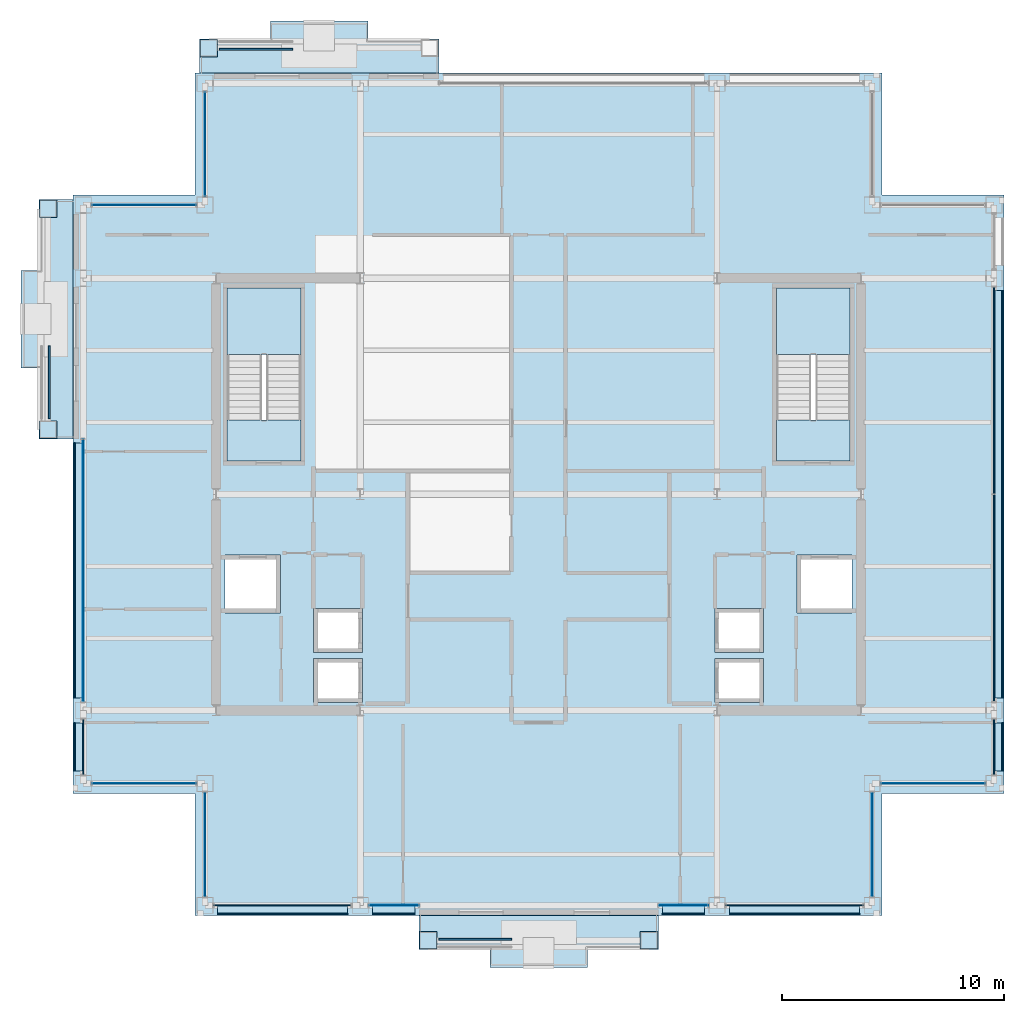
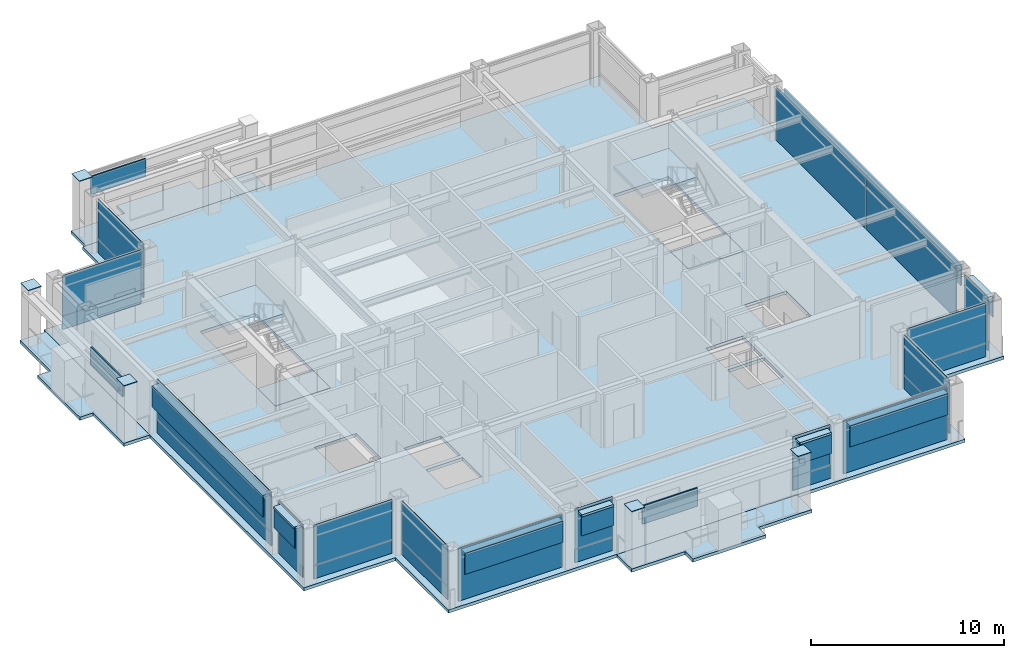
# One storey, part 24 of 31: 48 plates, 8 slabs, 16 elements without a shape of their own.
"""IFC4 building model written with IfcOpenShell, lengths in metres."""

from ifc_helpers import new_model, si_unit, direction, frame, origin, origin_2d, place, context, subcontext, project, spatial, polyline, rectangle, outline, extrude, material, layer, layer_set, type_object, element, aggregate, save


model = new_model("IFC4")

# Units and contexts
model_context = context("Model", 3, precision=1e-05, world=origin(), true_north=direction((0.0, 1.0)))
body_context = subcontext(model_context, "Body", "Model", "MODEL_VIEW")
ifc_project = project(units=[si_unit("LENGTHUNIT", "METRE"), si_unit("AREAUNIT", "SQUARE_METRE"), si_unit("VOLUMEUNIT", "CUBIC_METRE"), si_unit("PLANEANGLEUNIT", "RADIAN"), si_unit("MASSUNIT", "GRAM", prefix="KILO")], contexts=[model_context])

# Site, building, storey
site_placement = place(None, origin())
site = spatial("IfcSite", under=ifc_project, at=site_placement, CompositionType="ELEMENT")
building_placement = place(site_placement, origin())
building = spatial("IfcBuilding", under=site, at=building_placement, Name="Brelmoor Portico Tower", CompositionType="ELEMENT")
storey_placement = place(building_placement, frame((0.0, 0.0, 176.699951171875)))
storey = spatial("IfcBuildingStorey", under=building, at=storey_placement, Name="L46", CompositionType="ELEMENT", Elevation=176.699951171875)

# Plates
ifc_material_1 = material(Name="Steel Q355B", Category="steel")
ifc_layer_1 = layer(ifc_material_1, 0.044921875)
ifc_layer_set_1 = layer_set([ifc_layer_1], Name="Steel Q355B")
plate_type_1 = type_object("IfcPlateType", Name="PT-CAP-650", PredefinedType="SHEET", material=ifc_layer_set_1)
for number, where, z_axis, x_axis, name in (
    (1, (-4.97998046875, -20.1298828125, 3.60009765625), (0.0, 0.0, 1.0), (1.0, 0.0, 0.0), "L46 Proud Picture-Frame Pier PFJ-S1 Welded Head Cap Plate"),
    (2, (4.97998046875, -20.1298828125, 3.60009765625), (0.0, 0.0, 1.0), (1.0, 0.0, 0.0), "L46 Proud Picture-Frame Pier PFJ-S2 Welded Head Cap Plate"),
    (3, (-14.8798828125, 20.1298828125, 3.60009765625), (0.0, 0.0, 1.0), (1.0, 0.0, 0.0), "L46 Proud Picture-Frame Pier PFJ-N1 Welded Head Cap Plate"),
    (4, (-22.1298828125, 2.919921875, 3.60009765625), (0.0, 0.0, 1.0), (0.0, 1.0, 0.0), "L46 Proud Picture-Frame Pier PFJ-W1 Welded Head Cap Plate"),
    (5, (-22.1298828125, 12.8798828125, 3.60009765625), (0.0, 0.0, 1.0), (0.0, 1.0, 0.0), "L46 Proud Picture-Frame Pier PFJ-W2 Welded Head Cap Plate"),
):
    element("IfcPlate", number, at=place(storey_placement, frame(where, z_axis=z_axis, x_axis=x_axis)), inside=storey, type_object=plate_type_1, Name=name, PredefinedType="SHEET", context=body_context, shape_type="SweptSolid", body=[
        extrude(rectangle(XDim=0.7900390625, YDim=0.7900390625, at=origin_2d()), origin(), (0.0, 0.0, 1.0), 0.0400390625),
    ])

# Curtain wall, plate
ifc_material_2 = material(Name="Anodised Aluminium Alloy 6063-T6", Category="aluminium")
ifc_layer_2 = layer(ifc_material_2, 0.179931640625)
ifc_layer_set_2 = layer_set([ifc_layer_2], Name="Anodised Aluminium Alloy 6063-T6")
curtain_wall_type_1 = type_object("IfcCurtainWallType", Name="CW-TOWER-Z3", PredefinedType="NOTDEFINED", material=ifc_layer_set_2)
curtain_wall_1_placement = place(storey_placement, origin())
curtain_wall_1 = element("IfcCurtainWall", 6, at=curtain_wall_1_placement, inside=storey, type_object=curtain_wall_type_1, Name="L46 Curtain Wall CW-L46-1L-2", PredefinedType="NOTDEFINED")
ifc_material_3 = material(Name="Double-Silver Low-E Insulated Glazing", Category="glass")
ifc_layer_3 = layer(ifc_material_3, 0.035888671875)
ifc_layer_set_3 = layer_set([ifc_layer_3], Name="Double-Silver Low-E Insulated Glazing")
plate_type_2 = type_object("IfcPlateType", Name="PT-CW-GLASS", PredefinedType="CURTAIN_PANEL", material=ifc_layer_set_3)
plate_1_placement = place(storey_placement, frame((-6.532470703125, -18.550048828125, 0.85009765625), z_axis=(0.0, 0.0, 1.0), x_axis=(1.0, 0.0, 0.0)))
plate_1 = element("IfcPlate", 7, at=plate_1_placement, type_object=plate_type_2, Name="CW-L46-1L-2 Vision Glass Panel 00", PredefinedType="CURTAIN_PANEL", context=body_context, shape_type="SweptSolid", body=[
    extrude(rectangle(XDim=2.235107421875, YDim=0.035888671875, at=origin_2d()), origin(), (0.0, 0.0, 1.0), 2.550048828125),
])

curtain_wall_2_placement = place(storey_placement, origin())
curtain_wall_2 = element("IfcCurtainWall", 8, at=curtain_wall_2_placement, inside=storey, type_object=curtain_wall_type_1, Name="L46 Curtain Wall CW-L46-1R-1", PredefinedType="NOTDEFINED")
plate_2_placement = place(storey_placement, frame((6.532470703125, -18.550048828125, 0.85009765625), z_axis=(0.0, 0.0, 1.0), x_axis=(1.0, 0.0, 0.0)))
plate_2 = element("IfcPlate", 9, at=plate_2_placement, type_object=plate_type_2, Name="CW-L46-1R-1 Vision Glass Panel 00", PredefinedType="CURTAIN_PANEL", context=body_context, shape_type="SweptSolid", body=[
    extrude(rectangle(XDim=2.235107421875, YDim=0.035888671875, at=origin_2d()), origin(), (0.0, 0.0, 1.0), 2.550048828125),
])

curtain_wall_3_placement = place(storey_placement, origin())
curtain_wall_3 = element("IfcCurtainWall", 10, at=curtain_wall_3_placement, inside=storey, type_object=curtain_wall_type_1, Name="L46 Curtain Wall CW-L46-3L-2", PredefinedType="NOTDEFINED")
plate_3_placement = place(storey_placement, frame((-20.550048828125, -3.4326171875, 0.85009765625), z_axis=(0.0, 0.0, 1.0), x_axis=(0.0, 1.0, 0.0)))
plate_3 = element("IfcPlate", 11, at=plate_3_placement, type_object=plate_type_2, Name="CW-L46-3L-2 Vision Glass Panel 00", PredefinedType="CURTAIN_PANEL", context=body_context, shape_type="SweptSolid", body=[
    extrude(rectangle(XDim=11.8349609375, YDim=0.035888671875, at=origin_2d()), origin(), (0.0, 0.0, 1.0), 2.550048828125),
])

ifc_layer_4 = layer(ifc_material_2, 0.179931640625)
ifc_layer_set_4 = layer_set([ifc_layer_4], Name="Anodised Aluminium Alloy 6063-T6")
curtain_wall_type_2 = type_object("IfcCurtainWallType", Name="CW-NOTCH-CHAMFER", PredefinedType="NOTDEFINED", material=ifc_layer_set_4)
curtain_wall_4_placement = place(storey_placement, origin())
curtain_wall_4 = element("IfcCurtainWall", 12, at=curtain_wall_4_placement, inside=storey, type_object=curtain_wall_type_2, Name="L46 Curtain Wall CWN-L46-SWH", PredefinedType="NOTDEFINED")
plate_4_placement = place(storey_placement, frame((-17.800048828125, -13.050048828125, 0.85009765625), z_axis=(0.0, 0.0, 1.0), x_axis=(1.0, 0.0, 0.0)))
plate_4 = element("IfcPlate", 13, at=plate_4_placement, type_object=plate_type_2, Name="CWN-L46-SWH Vision Glass Panel 00", PredefinedType="CURTAIN_PANEL", context=body_context, shape_type="SweptSolid", body=[
    extrude(rectangle(XDim=4.699951171875, YDim=0.035888671875, at=origin_2d()), origin(), (0.0, 0.0, 1.0), 2.550048828125),
])

curtain_wall_5_placement = place(storey_placement, origin())
curtain_wall_5 = element("IfcCurtainWall", 14, at=curtain_wall_5_placement, inside=storey, type_object=curtain_wall_type_2, Name="L46 Curtain Wall CWN-L46-SWV", PredefinedType="NOTDEFINED")
plate_5_placement = place(storey_placement, frame((-15.050048828125, -15.800048828125, 0.85009765625), z_axis=(0.0, 0.0, 1.0), x_axis=(0.0, 1.0, 0.0)))
plate_5 = element("IfcPlate", 15, at=plate_5_placement, type_object=plate_type_2, Name="CWN-L46-SWV Vision Glass Panel 00", PredefinedType="CURTAIN_PANEL", context=body_context, shape_type="SweptSolid", body=[
    extrude(rectangle(XDim=4.699951171875, YDim=0.035888671875, at=origin_2d()), origin(), (0.0, 0.0, 1.0), 2.550048828125),
])

curtain_wall_6_placement = place(storey_placement, origin())
curtain_wall_6 = element("IfcCurtainWall", 16, at=curtain_wall_6_placement, inside=storey, type_object=curtain_wall_type_2, Name="L46 Curtain Wall CWN-L46-SEH", PredefinedType="NOTDEFINED")
plate_6_placement = place(storey_placement, frame((17.800048828125, -13.050048828125, 0.85009765625), z_axis=(0.0, 0.0, 1.0), x_axis=(1.0, 0.0, 0.0)))
plate_6 = element("IfcPlate", 17, at=plate_6_placement, type_object=plate_type_2, Name="CWN-L46-SEH Vision Glass Panel 00", PredefinedType="CURTAIN_PANEL", context=body_context, shape_type="SweptSolid", body=[
    extrude(rectangle(XDim=4.699951171875, YDim=0.035888671875, at=origin_2d()), origin(), (0.0, 0.0, 1.0), 2.550048828125),
])

curtain_wall_7_placement = place(storey_placement, origin())
curtain_wall_7 = element("IfcCurtainWall", 18, at=curtain_wall_7_placement, inside=storey, type_object=curtain_wall_type_2, Name="L46 Curtain Wall CWN-L46-SEV", PredefinedType="NOTDEFINED")
plate_7_placement = place(storey_placement, frame((15.050048828125, -15.800048828125, 0.85009765625), z_axis=(0.0, 0.0, 1.0), x_axis=(0.0, 1.0, 0.0)))
plate_7 = element("IfcPlate", 19, at=plate_7_placement, type_object=plate_type_2, Name="CWN-L46-SEV Vision Glass Panel 00", PredefinedType="CURTAIN_PANEL", context=body_context, shape_type="SweptSolid", body=[
    extrude(rectangle(XDim=4.699951171875, YDim=0.035888671875, at=origin_2d()), origin(), (0.0, 0.0, 1.0), 2.550048828125),
])

curtain_wall_8_placement = place(storey_placement, origin())
curtain_wall_8 = element("IfcCurtainWall", 20, at=curtain_wall_8_placement, inside=storey, type_object=curtain_wall_type_2, Name="L46 Curtain Wall CWN-L46-NWH", PredefinedType="NOTDEFINED")
plate_8_placement = place(storey_placement, frame((-17.800048828125, 13.050048828125, 0.85009765625), z_axis=(0.0, 0.0, 1.0), x_axis=(1.0, 0.0, 0.0)))
plate_8 = element("IfcPlate", 21, at=plate_8_placement, type_object=plate_type_2, Name="CWN-L46-NWH Vision Glass Panel 00", PredefinedType="CURTAIN_PANEL", context=body_context, shape_type="SweptSolid", body=[
    extrude(rectangle(XDim=4.699951171875, YDim=0.035888671875, at=origin_2d()), origin(), (0.0, 0.0, 1.0), 2.550048828125),
])

curtain_wall_9_placement = place(storey_placement, origin())
curtain_wall_9 = element("IfcCurtainWall", 22, at=curtain_wall_9_placement, inside=storey, type_object=curtain_wall_type_2, Name="L46 Curtain Wall CWN-L46-NWV", PredefinedType="NOTDEFINED")
plate_9_placement = place(storey_placement, frame((-15.050048828125, 15.800048828125, 0.85009765625), z_axis=(0.0, 0.0, 1.0), x_axis=(0.0, 1.0, 0.0)))
plate_9 = element("IfcPlate", 23, at=plate_9_placement, type_object=plate_type_2, Name="CWN-L46-NWV Vision Glass Panel 00", PredefinedType="CURTAIN_PANEL", context=body_context, shape_type="SweptSolid", body=[
    extrude(rectangle(XDim=4.699951171875, YDim=0.035888671875, at=origin_2d()), origin(), (0.0, 0.0, 1.0), 2.550048828125),
])

ifc_layer_5 = layer(ifc_material_2, 0.179931640625)
ifc_layer_set_5 = layer_set([ifc_layer_5], Name="Anodised Aluminium Alloy 6063-T6")
curtain_wall_type_3 = type_object("IfcCurtainWallType", Name="CW-TOWER-Z3-XB", PredefinedType="NOTDEFINED", material=ifc_layer_set_5)
curtain_wall_10_placement = place(storey_placement, origin())
curtain_wall_10 = element("IfcCurtainWall", 24, at=curtain_wall_10_placement, inside=storey, type_object=curtain_wall_type_3, Name="L46 Curtain Wall CW-L46-1L-1", PredefinedType="NOTDEFINED")
ifc_material_4 = material(Name="Pale Champagne Anodised Aluminium Panel", Category="aluminium")
ifc_layer_6 = layer(ifc_material_4, 0.050048828125)
ifc_layer_set_6 = layer_set([ifc_layer_6], Name="Pale Champagne Anodised Aluminium Panel")
plate_type_3 = type_object("IfcPlateType", Name="PT-CW-SPANDREL", PredefinedType="SHEET", material=ifc_layer_set_6)
plate_10_placement = place(storey_placement, frame((-11.550048828125, -18.550048828125, 0.0), z_axis=(0.0, 0.0, 1.0), x_axis=(1.0, 0.0, 0.0)))
plate_10 = element("IfcPlate", 25, at=plate_10_placement, type_object=plate_type_3, Name="CW-L46-1L-1 Spandrel Panel 00", PredefinedType="SHEET", context=body_context, shape_type="SweptSolid", body=[
    extrude(rectangle(XDim=6.199951171875, YDim=0.050048828125, at=origin_2d()), origin(), (0.0, 0.0, 1.0), 3.33740234375),
])
aggregate(curtain_wall_10, [plate_10])

# Plate
plate_11_placement = place(storey_placement, frame((-6.532470703125, -18.550048828125, 0.0), z_axis=(0.0, 0.0, 1.0), x_axis=(1.0, 0.0, 0.0)))
plate_11 = element("IfcPlate", 26, at=plate_11_placement, type_object=plate_type_3, Name="CW-L46-1L-2 Spandrel Panel 00", PredefinedType="SHEET", context=body_context, shape_type="SweptSolid", body=[
    extrude(rectangle(XDim=2.235107421875, YDim=0.050048828125, at=origin_2d()), origin(), (0.0, 0.0, 1.0), 0.85009765625),
])

aggregate(curtain_wall_1, [plate_11, plate_1])

plate_12_placement = place(storey_placement, frame((6.532470703125, -18.550048828125, 0.0), z_axis=(0.0, 0.0, 1.0), x_axis=(1.0, 0.0, 0.0)))
plate_12 = element("IfcPlate", 27, at=plate_12_placement, type_object=plate_type_3, Name="CW-L46-1R-1 Spandrel Panel 00", PredefinedType="SHEET", context=body_context, shape_type="SweptSolid", body=[
    extrude(rectangle(XDim=2.235107421875, YDim=0.050048828125, at=origin_2d()), origin(), (0.0, 0.0, 1.0), 0.85009765625),
])

aggregate(curtain_wall_2, [plate_12, plate_2])

# Curtain wall, plate
curtain_wall_11_placement = place(storey_placement, origin())
curtain_wall_11 = element("IfcCurtainWall", 28, at=curtain_wall_11_placement, inside=storey, type_object=curtain_wall_type_3, Name="L46 Curtain Wall CW-L46-1R-2", PredefinedType="NOTDEFINED")
plate_13_placement = place(storey_placement, frame((11.550048828125, -18.550048828125, 0.0), z_axis=(0.0, 0.0, 1.0), x_axis=(1.0, 0.0, 0.0)))
plate_13 = element("IfcPlate", 29, at=plate_13_placement, type_object=plate_type_3, Name="CW-L46-1R-2 Spandrel Panel 00", PredefinedType="SHEET", context=body_context, shape_type="SweptSolid", body=[
    extrude(rectangle(XDim=6.199951171875, YDim=0.050048828125, at=origin_2d()), origin(), (0.0, 0.0, 1.0), 3.33740234375),
])
aggregate(curtain_wall_11, [plate_13])

curtain_wall_12_placement = place(storey_placement, origin())
curtain_wall_12 = element("IfcCurtainWall", 30, at=curtain_wall_12_placement, inside=storey, type_object=curtain_wall_type_3, Name="L46 Curtain Wall CW-L46-3L-1", PredefinedType="NOTDEFINED")
plate_14_placement = place(storey_placement, frame((-20.550048828125, -11.39990234375, 0.0), z_axis=(0.0, 0.0, 1.0), x_axis=(0.0, 1.0, 0.0)))
plate_14 = element("IfcPlate", 31, at=plate_14_placement, type_object=plate_type_3, Name="CW-L46-3L-1 Spandrel Panel 00", PredefinedType="SHEET", context=body_context, shape_type="SweptSolid", body=[
    extrude(rectangle(XDim=2.5, YDim=0.050048828125, at=origin_2d()), origin(), (0.0, 0.0, 1.0), 3.33740234375),
])
aggregate(curtain_wall_12, [plate_14])

# Plate
plate_15_placement = place(storey_placement, frame((-20.550048828125, -3.4326171875, 0.0), z_axis=(0.0, 0.0, 1.0), x_axis=(0.0, 1.0, 0.0)))
plate_15 = element("IfcPlate", 32, at=plate_15_placement, type_object=plate_type_3, Name="CW-L46-3L-2 Spandrel Panel 00", PredefinedType="SHEET", context=body_context, shape_type="SweptSolid", body=[
    extrude(rectangle(XDim=11.8349609375, YDim=0.050048828125, at=origin_2d()), origin(), (0.0, 0.0, 1.0), 0.85009765625),
])

aggregate(curtain_wall_3, [plate_15, plate_3])

# Curtain wall, plate
curtain_wall_13_placement = place(storey_placement, origin())
curtain_wall_13 = element("IfcCurtainWall", 33, at=curtain_wall_13_placement, inside=storey, type_object=curtain_wall_type_3, Name="L46 Curtain Wall CW-L46-04-1", PredefinedType="NOTDEFINED")
plate_16_placement = place(storey_placement, frame((20.550048828125, -11.39990234375, 0.0), z_axis=(0.0, 0.0, 1.0), x_axis=(0.0, 1.0, 0.0)))
plate_16 = element("IfcPlate", 34, at=plate_16_placement, type_object=plate_type_3, Name="CW-L46-04-1 Spandrel Panel 00", PredefinedType="SHEET", context=body_context, shape_type="SweptSolid", body=[
    extrude(rectangle(XDim=2.5, YDim=0.050048828125, at=origin_2d()), origin(), (0.0, 0.0, 1.0), 3.33740234375),
])
aggregate(curtain_wall_13, [plate_16])

# Curtain wall, plates
curtain_wall_14_placement = place(storey_placement, origin())
curtain_wall_14 = element("IfcCurtainWall", 35, at=curtain_wall_14_placement, inside=storey, type_object=curtain_wall_type_3, Name="L46 Curtain Wall CW-L46-04-2", PredefinedType="NOTDEFINED")
plate_17_placement = place(storey_placement, frame((20.550048828125, -4.6826171875, 0.0), z_axis=(0.0, 0.0, 1.0), x_axis=(0.0, 1.0, 0.0)))
plate_17 = element("IfcPlate", 36, at=plate_17_placement, type_object=plate_type_3, Name="CW-L46-04-2 Spandrel Panel 00", PredefinedType="SHEET", context=body_context, shape_type="SweptSolid", body=[
    extrude(rectangle(XDim=9.3349609375, YDim=0.050048828125, at=origin_2d()), origin(), (0.0, 0.0, 1.0), 3.33740234375),
])
plate_18_placement = place(storey_placement, frame((20.550048828125, 4.6826171875, 0.0), z_axis=(0.0, 0.0, 1.0), x_axis=(0.0, 1.0, 0.0)))
plate_18 = element("IfcPlate", 37, at=plate_18_placement, type_object=plate_type_3, Name="CW-L46-04-2 Spandrel Panel 01", PredefinedType="SHEET", context=body_context, shape_type="SweptSolid", body=[
    extrude(rectangle(XDim=9.3349609375, YDim=0.050048828125, at=origin_2d()), origin(), (0.0, 0.0, 1.0), 3.33740234375),
])
aggregate(curtain_wall_14, [plate_17, plate_18])

# Plate
plate_19_placement = place(storey_placement, frame((-17.800048828125, -13.050048828125, 0.0), z_axis=(0.0, 0.0, 1.0), x_axis=(1.0, 0.0, 0.0)))
plate_19 = element("IfcPlate", 38, at=plate_19_placement, type_object=plate_type_3, Name="CWN-L46-SWH Spandrel Panel 00", PredefinedType="SHEET", context=body_context, shape_type="SweptSolid", body=[
    extrude(rectangle(XDim=4.699951171875, YDim=0.050048828125, at=origin_2d()), origin(), (0.0, 0.0, 1.0), 0.85009765625),
])

aggregate(curtain_wall_4, [plate_19, plate_4])

plate_20_placement = place(storey_placement, frame((-15.050048828125, -15.800048828125, 0.0), z_axis=(0.0, 0.0, 1.0), x_axis=(0.0, 1.0, 0.0)))
plate_20 = element("IfcPlate", 39, at=plate_20_placement, type_object=plate_type_3, Name="CWN-L46-SWV Spandrel Panel 00", PredefinedType="SHEET", context=body_context, shape_type="SweptSolid", body=[
    extrude(rectangle(XDim=4.699951171875, YDim=0.050048828125, at=origin_2d()), origin(), (0.0, 0.0, 1.0), 0.85009765625),
])

aggregate(curtain_wall_5, [plate_20, plate_5])

plate_21_placement = place(storey_placement, frame((17.800048828125, -13.050048828125, 0.0), z_axis=(0.0, 0.0, 1.0), x_axis=(1.0, 0.0, 0.0)))
plate_21 = element("IfcPlate", 40, at=plate_21_placement, type_object=plate_type_3, Name="CWN-L46-SEH Spandrel Panel 00", PredefinedType="SHEET", context=body_context, shape_type="SweptSolid", body=[
    extrude(rectangle(XDim=4.699951171875, YDim=0.050048828125, at=origin_2d()), origin(), (0.0, 0.0, 1.0), 0.85009765625),
])

aggregate(curtain_wall_6, [plate_21, plate_6])

plate_22_placement = place(storey_placement, frame((15.050048828125, -15.800048828125, 0.0), z_axis=(0.0, 0.0, 1.0), x_axis=(0.0, 1.0, 0.0)))
plate_22 = element("IfcPlate", 41, at=plate_22_placement, type_object=plate_type_3, Name="CWN-L46-SEV Spandrel Panel 00", PredefinedType="SHEET", context=body_context, shape_type="SweptSolid", body=[
    extrude(rectangle(XDim=4.699951171875, YDim=0.050048828125, at=origin_2d()), origin(), (0.0, 0.0, 1.0), 0.85009765625),
])

aggregate(curtain_wall_7, [plate_22, plate_7])

plate_23_placement = place(storey_placement, frame((-17.800048828125, 13.050048828125, 0.0), z_axis=(0.0, 0.0, 1.0), x_axis=(1.0, 0.0, 0.0)))
plate_23 = element("IfcPlate", 42, at=plate_23_placement, type_object=plate_type_3, Name="CWN-L46-NWH Spandrel Panel 00", PredefinedType="SHEET", context=body_context, shape_type="SweptSolid", body=[
    extrude(rectangle(XDim=4.699951171875, YDim=0.050048828125, at=origin_2d()), origin(), (0.0, 0.0, 1.0), 0.85009765625),
])

aggregate(curtain_wall_8, [plate_23, plate_8])

plate_24_placement = place(storey_placement, frame((-15.050048828125, 15.800048828125, 0.0), z_axis=(0.0, 0.0, 1.0), x_axis=(0.0, 1.0, 0.0)))
plate_24 = element("IfcPlate", 43, at=plate_24_placement, type_object=plate_type_3, Name="CWN-L46-NWV Spandrel Panel 00", PredefinedType="SHEET", context=body_context, shape_type="SweptSolid", body=[
    extrude(rectangle(XDim=4.699951171875, YDim=0.050048828125, at=origin_2d()), origin(), (0.0, 0.0, 1.0), 0.85009765625),
])

aggregate(curtain_wall_9, [plate_24, plate_9])

# Plates
ifc_material_5 = material(Name="Powder-Coated Aluminium Shuttered Jalousie Louvre", Category="aluminium")
ifc_layer_7 = layer(ifc_material_5, 0.06005859375)
ifc_layer_set_7 = layer_set([ifc_layer_7], Name="Powder-Coated Aluminium Shuttered Jalousie Louvre")
plate_type_4 = type_object("IfcPlateType", Name="PT-JALOUSIE-SHUTTER", PredefinedType="SHEET", material=ifc_layer_set_7)
plate_25_placement = place(storey_placement, frame((-11.550048828125, -18.929931640625, 1.8740234375), z_axis=(0.0, 0.0, 1.0), x_axis=(1.0, 0.0, 0.0)))
element("IfcPlate", 44, at=plate_25_placement, inside=storey, type_object=plate_type_4, Name="CW-L46-1L-1 Perforated Jalousie Solar Screen", PredefinedType="SHEET", context=body_context, shape_type="SweptSolid", body=[
    extrude(rectangle(XDim=5.8701171875, YDim=0.06494140625, at=origin_2d()), origin(), (0.0, 0.0, 1.0), 1.325927734375),
])
for number, where, z_axis, x_axis, name in (
    (45, (-6.532470703125, -18.929931640625, 1.8740234375), (0.0, 0.0, 1.0), (1.0, 0.0, 0.0), "CW-L46-1L-2 Perforated Jalousie Solar Screen"),
    (46, (6.532470703125, -18.929931640625, 1.8740234375), (0.0, 0.0, 1.0), (1.0, 0.0, 0.0), "CW-L46-1R-1 Perforated Jalousie Solar Screen"),
):
    element("IfcPlate", number, at=place(storey_placement, frame(where, z_axis=z_axis, x_axis=x_axis)), inside=storey, type_object=plate_type_4, Name=name, PredefinedType="SHEET", context=body_context, shape_type="SweptSolid", body=[
        extrude(rectangle(XDim=1.905029296875, YDim=0.06494140625, at=origin_2d()), origin(), (0.0, 0.0, 1.0), 1.325927734375),
    ])
plate_26_placement = place(storey_placement, frame((11.550048828125, -18.929931640625, 1.8740234375), z_axis=(0.0, 0.0, 1.0), x_axis=(1.0, 0.0, 0.0)))
element("IfcPlate", 47, at=plate_26_placement, inside=storey, type_object=plate_type_4, Name="CW-L46-1R-2 Perforated Jalousie Solar Screen", PredefinedType="SHEET", context=body_context, shape_type="SweptSolid", body=[
    extrude(rectangle(XDim=5.8701171875, YDim=0.06494140625, at=origin_2d()), origin(), (0.0, 0.0, 1.0), 1.325927734375),
])
for number, where, z_axis, x_axis, name in (
    (48, (-2.85009765625, -20.080078125, 2.275146484375), (0.0, 0.0, 1.0), (1.0, 0.0, 0.0), "L46 Shuttered Veranda Screen S"),
    (49, (-12.75, 20.080078125, 2.275146484375), (0.0, 0.0, 1.0), (1.0, 0.0, 0.0), "L46 Shuttered Veranda Screen N"),
):
    element("IfcPlate", number, at=place(storey_placement, frame(where, z_axis=z_axis, x_axis=x_axis)), inside=storey, type_object=plate_type_4, Name=name, PredefinedType="SHEET", context=body_context, shape_type="SweptSolid", body=[
        extrude(rectangle(XDim=3.300048828125, YDim=0.080078125, at=origin_2d()), origin(), (0.0, 0.0, 1.0), 1.14990234375),
    ])
plate_27_placement = place(storey_placement, frame((-20.929931640625, -11.39990234375, 1.8740234375), z_axis=(0.0, 0.0, 1.0), x_axis=(0.0, 1.0, 0.0)))
element("IfcPlate", 50, at=plate_27_placement, inside=storey, type_object=plate_type_4, Name="CW-L46-3L-1 Perforated Jalousie Solar Screen", PredefinedType="SHEET", context=body_context, shape_type="SweptSolid", body=[
    extrude(rectangle(XDim=2.169921875, YDim=0.06494140625, at=origin_2d()), origin(), (0.0, 0.0, 1.0), 1.325927734375),
])
plate_28_placement = place(storey_placement, frame((-20.929931640625, -3.4326171875, 1.8740234375), z_axis=(0.0, 0.0, 1.0), x_axis=(0.0, 1.0, 0.0)))
element("IfcPlate", 51, at=plate_28_placement, inside=storey, type_object=plate_type_4, Name="CW-L46-3L-2 Perforated Jalousie Solar Screen", PredefinedType="SHEET", context=body_context, shape_type="SweptSolid", body=[
    extrude(rectangle(XDim=11.5048828125, YDim=0.06494140625, at=origin_2d()), origin(), (0.0, 0.0, 1.0), 1.325927734375),
])
plate_29_placement = place(storey_placement, frame((-22.080078125, 5.050048828125, 2.275146484375), z_axis=(0.0, 0.0, 1.0), x_axis=(0.0, 1.0, 0.0)))
element("IfcPlate", 52, at=plate_29_placement, inside=storey, type_object=plate_type_4, Name="L46 Shuttered Veranda Screen W", PredefinedType="SHEET", context=body_context, shape_type="SweptSolid", body=[
    extrude(rectangle(XDim=3.300048828125, YDim=0.080078125, at=origin_2d()), origin(), (0.0, 0.0, 1.0), 1.14990234375),
])
plate_30_placement = place(storey_placement, frame((20.929931640625, -11.39990234375, 1.8740234375), z_axis=(0.0, 0.0, 1.0), x_axis=(0.0, 1.0, 0.0)))
element("IfcPlate", 53, at=plate_30_placement, inside=storey, type_object=plate_type_4, Name="CW-L46-04-1 Perforated Jalousie Solar Screen", PredefinedType="SHEET", context=body_context, shape_type="SweptSolid", body=[
    extrude(rectangle(XDim=2.169921875, YDim=0.06494140625, at=origin_2d()), origin(), (0.0, 0.0, 1.0), 1.325927734375),
])
plate_31_placement = place(storey_placement, frame((20.929931640625, 0.0, 1.8740234375), z_axis=(0.0, 0.0, 1.0), x_axis=(0.0, 1.0, 0.0)))
element("IfcPlate", 54, at=plate_31_placement, inside=storey, type_object=plate_type_4, Name="CW-L46-04-2 Perforated Jalousie Solar Screen", PredefinedType="SHEET", context=body_context, shape_type="SweptSolid", body=[
    extrude(rectangle(XDim=18.3701171875, YDim=0.06494140625, at=origin_2d()), origin(), (0.0, 0.0, 1.0), 1.325927734375),
])
ifc_material_6 = material(Name="Pale Champagne Perforated Aluminium Solar Screen", Category="aluminium")
ifc_layer_8 = layer(ifc_material_6, 0.054931640625)
ifc_layer_set_8 = layer_set([ifc_layer_8], Name="Pale Champagne Perforated Aluminium Solar Screen")
plate_type_5 = type_object("IfcPlateType", Name="PT-SOLAR-LOUVRE", PredefinedType="SHEET", material=ifc_layer_set_8)
plate_32_placement = place(storey_placement, frame((-11.550048828125, -18.760009765625, 3.09033203125), z_axis=(0.0, 0.0, 1.0), x_axis=(1.0, 0.0, 0.0)))
element("IfcPlate", 55, at=plate_32_placement, inside=storey, type_object=plate_type_5, Name="CW-L46-1L-1 Caribbean Brise-Soleil Solar Screen", PredefinedType="SHEET", context=body_context, shape_type="SweptSolid", body=[
    extrude(rectangle(XDim=5.8701171875, YDim=0.4599609375, at=origin_2d()), origin(), (0.0, 0.0, 1.0), 0.139892578125),
])
for number, where, z_axis, x_axis, name in (
    (56, (-6.532470703125, -18.760009765625, 3.09033203125), (0.0, 0.0, 1.0), (1.0, 0.0, 0.0), "CW-L46-1L-2 Caribbean Brise-Soleil Solar Screen"),
    (57, (6.532470703125, -18.760009765625, 3.09033203125), (0.0, 0.0, 1.0), (1.0, 0.0, 0.0), "CW-L46-1R-1 Caribbean Brise-Soleil Solar Screen"),
):
    element("IfcPlate", number, at=place(storey_placement, frame(where, z_axis=z_axis, x_axis=x_axis)), inside=storey, type_object=plate_type_5, Name=name, PredefinedType="SHEET", context=body_context, shape_type="SweptSolid", body=[
        extrude(rectangle(XDim=1.905029296875, YDim=0.4599609375, at=origin_2d()), origin(), (0.0, 0.0, 1.0), 0.139892578125),
    ])
plate_33_placement = place(storey_placement, frame((11.550048828125, -18.760009765625, 3.09033203125), z_axis=(0.0, 0.0, 1.0), x_axis=(1.0, 0.0, 0.0)))
element("IfcPlate", 58, at=plate_33_placement, inside=storey, type_object=plate_type_5, Name="CW-L46-1R-2 Caribbean Brise-Soleil Solar Screen", PredefinedType="SHEET", context=body_context, shape_type="SweptSolid", body=[
    extrude(rectangle(XDim=5.8701171875, YDim=0.4599609375, at=origin_2d()), origin(), (0.0, 0.0, 1.0), 0.139892578125),
])
plate_34_placement = place(storey_placement, frame((-20.760009765625, -11.39990234375, 3.09033203125), z_axis=(0.0, 0.0, 1.0), x_axis=(0.0, 1.0, 0.0)))
element("IfcPlate", 59, at=plate_34_placement, inside=storey, type_object=plate_type_5, Name="CW-L46-3L-1 Caribbean Brise-Soleil Solar Screen", PredefinedType="SHEET", context=body_context, shape_type="SweptSolid", body=[
    extrude(rectangle(XDim=2.169921875, YDim=0.4599609375, at=origin_2d()), origin(), (0.0, 0.0, 1.0), 0.139892578125),
])
plate_35_placement = place(storey_placement, frame((-20.760009765625, -3.4326171875, 3.09033203125), z_axis=(0.0, 0.0, 1.0), x_axis=(0.0, 1.0, 0.0)))
element("IfcPlate", 60, at=plate_35_placement, inside=storey, type_object=plate_type_5, Name="CW-L46-3L-2 Caribbean Brise-Soleil Solar Screen", PredefinedType="SHEET", context=body_context, shape_type="SweptSolid", body=[
    extrude(rectangle(XDim=11.5048828125, YDim=0.4599609375, at=origin_2d()), origin(), (0.0, 0.0, 1.0), 0.139892578125),
])
plate_36_placement = place(storey_placement, frame((20.760009765625, -11.39990234375, 3.09033203125), z_axis=(0.0, 0.0, 1.0), x_axis=(0.0, 1.0, 0.0)))
element("IfcPlate", 61, at=plate_36_placement, inside=storey, type_object=plate_type_5, Name="CW-L46-04-1 Caribbean Brise-Soleil Solar Screen", PredefinedType="SHEET", context=body_context, shape_type="SweptSolid", body=[
    extrude(rectangle(XDim=2.169921875, YDim=0.4599609375, at=origin_2d()), origin(), (0.0, 0.0, 1.0), 0.139892578125),
])
plate_37_placement = place(storey_placement, frame((20.760009765625, 0.0, 3.09033203125), z_axis=(0.0, 0.0, 1.0), x_axis=(0.0, 1.0, 0.0)))
element("IfcPlate", 62, at=plate_37_placement, inside=storey, type_object=plate_type_5, Name="CW-L46-04-2 Caribbean Brise-Soleil Solar Screen", PredefinedType="SHEET", context=body_context, shape_type="SweptSolid", body=[
    extrude(rectangle(XDim=18.3701171875, YDim=0.4599609375, at=origin_2d()), origin(), (0.0, 0.0, 1.0), 0.139892578125),
])

# Slabs
ifc_material_7 = material(Name="Concrete C40", Category="concrete")
ifc_layer_9 = layer(ifc_material_7, 0.199951171875)
ifc_layer_set_9 = layer_set([ifc_layer_9], Name="Concrete C40")
slab_type_1 = type_object("IfcSlabType", Name="SL-BALCONY-200", PredefinedType="FLOOR", material=ifc_layer_set_9)
slab_1_placement = place(storey_placement, frame((0.0, 0.0, -0.199951171875)))
element("IfcSlab", 63, at=slab_1_placement, inside=storey, type_object=slab_type_1, Name="L46 Loggia Tree Balcony Slab S", PredefinedType="FLOOR", context=body_context, shape_type="SweptSolid", body=[
    extrude(outline(polyline([(-5.39990234375, -20.550048828125), (-2.199951171875, -20.550048828125), (-2.199951171875, -21.35009765625), (2.199951171875, -21.35009765625), (2.199951171875, -20.550048828125), (5.39990234375, -20.550048828125), (5.39990234375, -19.0), (-5.39990234375, -19.0), (-5.39990234375, -20.550048828125)])), origin(), (0.0, 0.0, 1.0), 0.199951171875),
])
slab_2_placement = place(storey_placement, frame((0.0, 0.0, -0.199951171875)))
element("IfcSlab", 64, at=slab_2_placement, inside=storey, type_object=slab_type_1, Name="L46 Loggia Tree Balcony Slab N", PredefinedType="FLOOR", context=body_context, shape_type="SweptSolid", body=[
    extrude(outline(polyline([(-15.300048828125, 19.0), (-4.5, 19.0), (-4.5, 20.550048828125), (-7.699951171875, 20.550048828125), (-7.699951171875, 21.35009765625), (-12.10009765625, 21.35009765625), (-12.10009765625, 20.550048828125), (-15.300048828125, 20.550048828125), (-15.300048828125, 19.0)])), origin(), (0.0, 0.0, 1.0), 0.199951171875),
])
slab_3_placement = place(storey_placement, frame((0.0, 0.0, -0.199951171875)))
element("IfcSlab", 65, at=slab_3_placement, inside=storey, type_object=slab_type_1, Name="L46 Loggia Tree Balcony Slab W", PredefinedType="FLOOR", context=body_context, shape_type="SweptSolid", body=[
    extrude(outline(polyline([(-22.550048828125, 2.5), (-21.0, 2.5), (-21.0, 13.300048828125), (-22.550048828125, 13.300048828125), (-22.550048828125, 10.10009765625), (-23.35009765625, 10.10009765625), (-23.35009765625, 5.699951171875), (-22.550048828125, 5.699951171875), (-22.550048828125, 2.5)])), origin(), (0.0, 0.0, 1.0), 0.199951171875),
])
ifc_layer_10 = layer(ifc_material_7, 0.199951171875)
ifc_layer_set_10 = layer_set([ifc_layer_10], Name="Concrete C40")
slab_type_2 = type_object("IfcSlabType", Name="SL-FLOOR-200", PredefinedType="FLOOR", material=ifc_layer_set_10)
slab_4_placement = place(storey_placement, frame((0.0, 0.0, -0.199951171875)))
element("IfcSlab", 66, at=slab_4_placement, inside=storey, type_object=slab_type_2, Name="L46 Main Structural Floor Slab", PredefinedType="FLOOR", context=body_context, shape_type="SweptSolid", body=[
    extrude(outline(polyline([(-15.5, -19.0), (15.5, -19.0), (15.5, -13.5), (21.0, -13.5), (21.0, 13.5), (15.5, 13.5), (15.5, 19.0), (-15.5, 19.0), (-15.5, 13.5), (-21.0, 13.5), (-21.0, -13.5), (-15.5, -13.5), (-15.5, -19.0)]), holes=[polyline([(-10.72998046875, 1.5), (-10.72998046875, 9.300048828125), (-14.050048828125, 9.300048828125), (-14.050048828125, 1.5), (-10.72998046875, 1.5)]), polyline([(14.050048828125, 1.5), (14.050048828125, 9.300048828125), (10.72998046875, 9.300048828125), (10.72998046875, 1.5), (14.050048828125, 1.5)]), polyline([(-10.14990234375, -9.39990234375), (-7.949951171875, -9.39990234375), (-7.949951171875, -7.39990234375), (-10.14990234375, -7.39990234375), (-10.14990234375, -9.39990234375)]), polyline([(-10.14990234375, -7.14990234375), (-7.949951171875, -7.14990234375), (-7.949951171875, -5.14990234375), (-10.14990234375, -5.14990234375), (-10.14990234375, -7.14990234375)]), polyline([(7.949951171875, -9.39990234375), (10.14990234375, -9.39990234375), (10.14990234375, -7.39990234375), (7.949951171875, -7.39990234375), (7.949951171875, -9.39990234375)]), polyline([(7.949951171875, -7.14990234375), (10.14990234375, -7.14990234375), (10.14990234375, -5.14990234375), (7.949951171875, -5.14990234375), (7.949951171875, -7.14990234375)]), polyline([(-14.14990234375, -5.35009765625), (-11.64990234375, -5.35009765625), (-11.64990234375, -2.75), (-14.14990234375, -2.75), (-14.14990234375, -5.35009765625)]), polyline([(11.64990234375, -5.35009765625), (14.14990234375, -5.35009765625), (14.14990234375, -2.75), (11.64990234375, -2.75), (11.64990234375, -5.35009765625)])]), origin(), (0.0, 0.0, 1.0), 0.199951171875),
])

# Stair, slab
stair_type_1 = type_object("IfcStairType", Name="ST-CORE-W", PredefinedType="HALF_TURN_STAIR", material=ifc_material_7)
stair_1_placement = place(storey_placement, origin())
stair_1 = element("IfcStair", 67, at=stair_1_placement, inside=storey, type_object=stair_type_1, Name="L46 Protected Core Exit Stair ST-W", PredefinedType="HALF_TURN_STAIR")
ifc_layer_11 = layer(ifc_material_7, 0.179931640625)
ifc_layer_set_11 = layer_set([ifc_layer_11], Name="Concrete C40")
slab_type_3 = type_object("IfcSlabType", Name="SL-LANDING-180", PredefinedType="LANDING", material=ifc_layer_set_11)
slab_5_placement = place(storey_placement, frame((0.0, 0.0, 1.60009765625)))
slab_5 = element("IfcSlab", 68, at=slab_5_placement, type_object=slab_type_3, Name="ST-W landing 1", PredefinedType="LANDING", context=body_context, shape_type="SweptSolid", body=[
    extrude(outline(polyline([(-10.72998046875, 6.300048828125), (-10.72998046875, 9.300048828125), (-14.050048828125, 9.300048828125), (-14.050048828125, 6.300048828125), (-10.72998046875, 6.300048828125)])), origin(), (0.0, 0.0, 1.0), 0.199951171875),
])
aggregate(stair_1, [slab_5])

stair_type_2 = type_object("IfcStairType", Name="ST-CORE-E", PredefinedType="HALF_TURN_STAIR", material=ifc_material_7)
stair_2_placement = place(storey_placement, origin())
stair_2 = element("IfcStair", 69, at=stair_2_placement, inside=storey, type_object=stair_type_2, Name="L46 Protected Core Exit Stair ST-E", PredefinedType="HALF_TURN_STAIR")
slab_6_placement = place(storey_placement, frame((0.0, 0.0, 1.60009765625)))
slab_6 = element("IfcSlab", 70, at=slab_6_placement, type_object=slab_type_3, Name="ST-E landing 1", PredefinedType="LANDING", context=body_context, shape_type="SweptSolid", body=[
    extrude(outline(polyline([(14.050048828125, 6.300048828125), (14.050048828125, 9.300048828125), (10.72998046875, 9.300048828125), (10.72998046875, 6.300048828125), (14.050048828125, 6.300048828125)])), origin(), (0.0, 0.0, 1.0), 0.199951171875),
])
aggregate(stair_2, [slab_6])

# Slabs
ifc_layer_12 = layer(ifc_material_7, 0.199951171875)
ifc_layer_set_12 = layer_set([ifc_layer_12], Name="Concrete C40")
slab_type_4 = type_object("IfcSlabType", Name="SL-STAIR-FL200", PredefinedType="LANDING", material=ifc_layer_set_12)
slab_7_placement = place(storey_placement, frame((0.0, 0.0, -0.199951171875)))
element("IfcSlab", 71, at=slab_7_placement, inside=storey, type_object=slab_type_4, Name="L46 ST-W Structural Floor Landing Slab", PredefinedType="LANDING", context=body_context, shape_type="SweptSolid", body=[
    extrude(outline(polyline([(-10.72998046875, 1.5), (-10.72998046875, 3.35009765625), (-14.050048828125, 3.35009765625), (-14.050048828125, 1.5), (-10.72998046875, 1.5)])), origin(), (0.0, 0.0, 1.0), 0.199951171875),
])
slab_8_placement = place(storey_placement, frame((0.0, 0.0, -0.199951171875)))
element("IfcSlab", 72, at=slab_8_placement, inside=storey, type_object=slab_type_4, Name="L46 ST-E Structural Floor Landing Slab", PredefinedType="LANDING", context=body_context, shape_type="SweptSolid", body=[
    extrude(outline(polyline([(14.050048828125, 1.5), (14.050048828125, 3.35009765625), (10.72998046875, 3.35009765625), (10.72998046875, 1.5), (14.050048828125, 1.5)])), origin(), (0.0, 0.0, 1.0), 0.199951171875),
])

save(model, "model.ifc")
